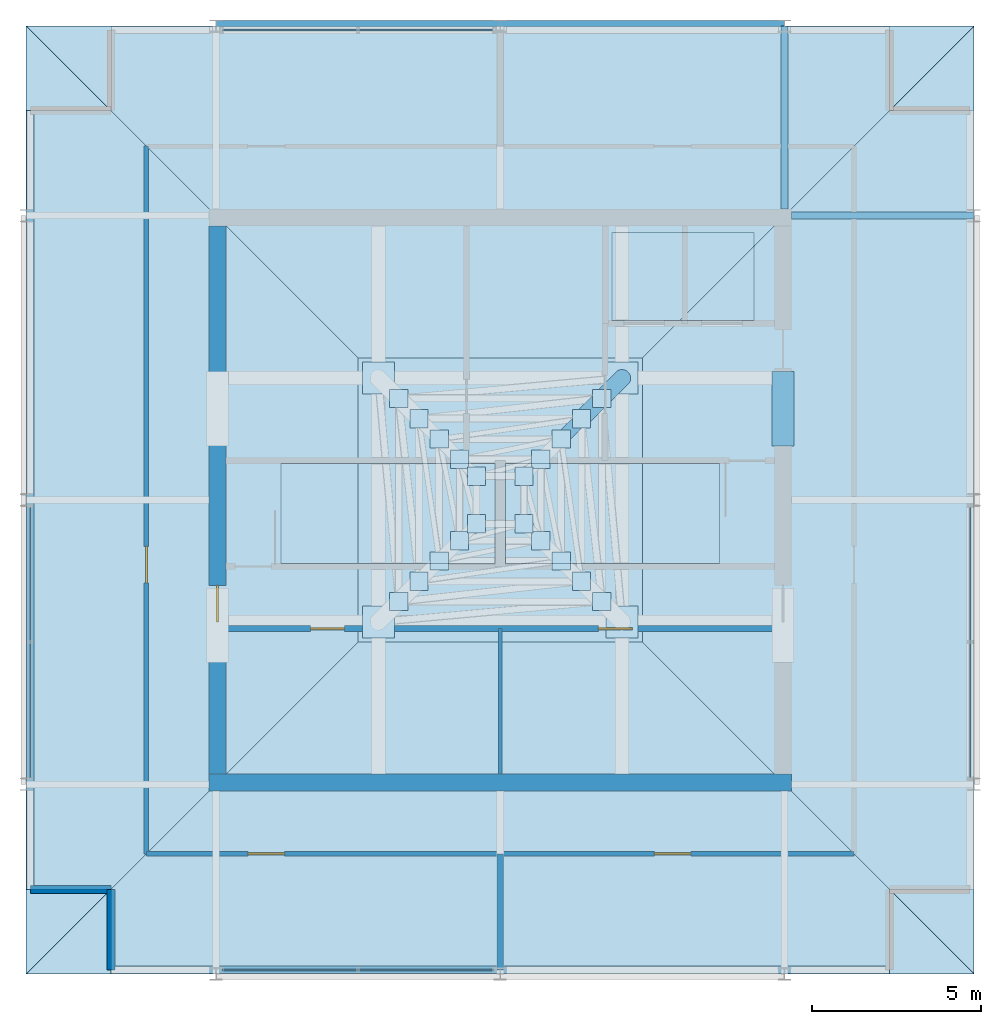
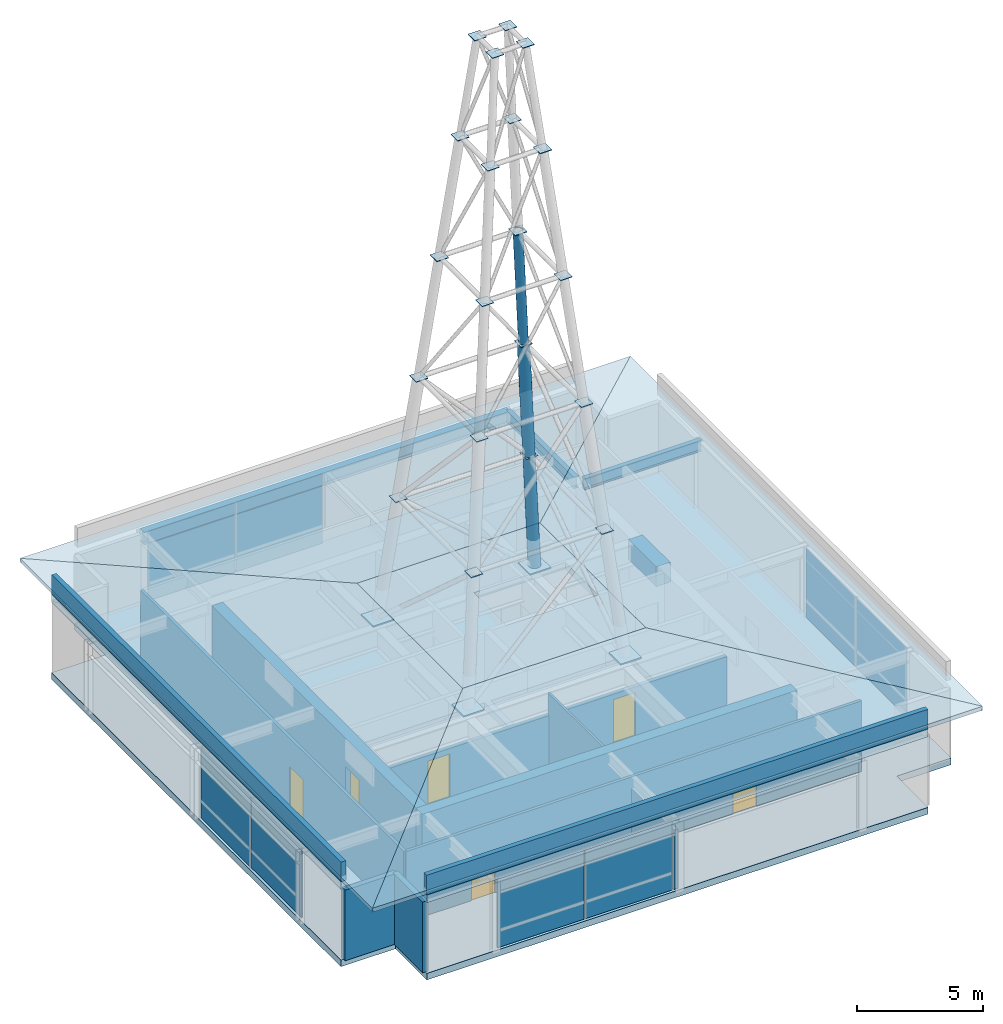
# One storey, part 11 of 13: 33 plates, 11 walls, 6 doors, 6 slabs, 4 beams, 3 members, 6 openings, 4 elements without a shape of their own.
"""IFC4 building model written with IfcOpenShell, lengths in metres."""

from ifc_helpers import new_model, si_unit, direction, frame, frame_2d, origin, origin_2d, place, context, subcontext, project, spatial, polyline, rectangle, hollow_circle, i_section, outline, extrude, material, layer, layer_set, material_profile, profile_set, type_object, element, fill, aggregate, save


model = new_model("IFC4")

# Units and contexts
model_context = context("Model", 3, precision=1e-05, world=origin(), true_north=direction((0.0, 1.0)))
body_context = subcontext(model_context, "Body", "Model", "MODEL_VIEW")
ifc_project = project(units=[si_unit("LENGTHUNIT", "METRE"), si_unit("AREAUNIT", "SQUARE_METRE"), si_unit("VOLUMEUNIT", "CUBIC_METRE"), si_unit("PLANEANGLEUNIT", "RADIAN"), si_unit("MASSUNIT", "GRAM", prefix="KILO")], contexts=[model_context])

# Site, building, storey
site_placement = place(None, origin())
site = spatial("IfcSite", under=ifc_project, at=site_placement, CompositionType="ELEMENT")
building_placement = place(site_placement, origin())
building = spatial("IfcBuilding", under=site, at=building_placement, Name="Drelvath Grand Hotel", CompositionType="ELEMENT")
storey_placement = place(building_placement, frame((0.0, 0.0, 323.199951171875)))
storey = spatial("IfcBuildingStorey", under=building, at=storey_placement, Name="L84", CompositionType="ELEMENT", Elevation=323.199951171875)

# Members
ifc_material_1 = material(Name="Steel ASTM A500 Gr C", Category="steel")
ifc_material_profile_1 = material_profile(ifc_material_1, hollow_circle(Radius=0.203125, WallThickness=0.01904296875, at=origin_2d()), Name="CHS406X19")
ifc_profile_set_1 = profile_set([ifc_material_profile_1], Name="Steel ASTM A500 Gr C")
member_type_1 = type_object("IfcMemberType", Name="Broadcast Mast Leg Post CHS406X19", PredefinedType="POST", material=ifc_profile_set_1)
member_placement = place(storey_placement, frame((2.39990234375, 29.39990234375, 15.800048828125), z_axis=(-0.098991054594, -0.098991054594, 0.990152282339), x_axis=(0.707106781187, -0.707106781187, 0.0)))
element("IfcMember", 1, at=member_placement, inside=storey, type_object=member_type_1, Name="Broadcast Mast Leg Post T3-NE", PredefinedType="POST", context=body_context, shape_type="SweptSolid", body=[
    extrude(hollow_circle(Radius=0.203125, WallThickness=0.01904296875, at=origin_2d()), origin(), (0.0, 0.0, 1.0), 6.0595703125),
])
ifc_material_2 = material(Name="Steel ASTM A501 Gr B", Category="steel")
ifc_material_profile_2 = material_profile(ifc_material_2, hollow_circle(Radius=0.25390625, WallThickness=0.025390625, at=origin_2d()), Name="CHS508X25")
ifc_profile_set_2 = profile_set([ifc_material_profile_2], Name="Steel ASTM A501 Gr B")
member_type_2 = type_object("IfcMemberType", Name="Broadcast Mast Leg Post CHS508X25", PredefinedType="POST", material=ifc_profile_set_2)
for number, where, z_axis, x_axis, name in (
    (2, (3.60009765625, 30.60009765625, 3.800048828125), (-0.099030553911, -0.099030553911, 0.990144382797), (0.707106781187, -0.707106781187, 0.0), "Broadcast Mast Leg Post T1-NE"),
    (3, (3.0, 30.0, 9.800048828125), (-0.099030553911, -0.099030553911, 0.990144382797), (0.707106781187, -0.707106781187, 0.0), "Broadcast Mast Leg Post T2-NE"),
):
    element("IfcMember", number, at=place(storey_placement, frame(where, z_axis=z_axis, x_axis=x_axis)), inside=storey, type_object=member_type_2, Name=name, PredefinedType="POST", context=body_context, shape_type="SweptSolid", body=[
        extrude(hollow_circle(Radius=0.25390625, WallThickness=0.025390625, at=origin_2d()), origin(), (0.0, 0.0, 1.0), 6.059814453125),
    ])

# Beams
ifc_material_3 = material(Name="Concrete f'c 55 MPa", Category="concrete")
ifc_material_profile_3 = material_profile(ifc_material_3, rectangle(XDim=0.64990234375, YDim=0.949951171875, at=origin_2d()), Name="CB650X950")
ifc_profile_set_3 = profile_set([ifc_material_profile_3], Name="Concrete f'c 55 MPa")
beam_type_1 = type_object("IfcBeamType", Name="Core Coupling Lintel CB650X950", PredefinedType="LINTEL", material=ifc_profile_set_3)
beam_1_placement = place(storey_placement, frame((8.35009765625, 28.60009765625, 2.945068359375), z_axis=(0.0, 1.0, 0.0), x_axis=(-1.0, 0.0, 0.0)))
element("IfcBeam", 4, at=beam_1_placement, inside=storey, type_object=beam_type_1, Name="L84 Core Coupling Lintel EN", PredefinedType="LINTEL", context=body_context, shape_type="SweptSolid", body=[
    extrude(rectangle(XDim=0.64990234375, YDim=0.949951171875, at=origin_2d()), origin(), (0.0, 0.0, 1.0), 2.199951171875),
])
ifc_material_4 = material(Name="Steel ASTM A992 Gr 50", Category="steel")
ifc_material_profile_4 = material_profile(ifc_material_4, i_section(OverallWidth=0.210205078125, OverallDepth=0.53662109375, WebThickness=0.010986328125, FlangeThickness=0.017333984375, FilletRadius=0.01806640625, at=origin_2d()), Name="W21X68")
ifc_profile_set_4 = profile_set([ifc_material_profile_4], Name="Steel ASTM A992 Gr 50")
beam_type_2 = type_object("IfcBeamType", Name="Primary Floor Girder W21X68", PredefinedType="BEAM", material=ifc_profile_set_4)
for number, where, z_axis, x_axis, name in (
    (5, (8.60009765625, 35.39990234375, 3.15185546875), (1.0, 0.0, 0.0), (0.0, 1.0, 0.0), "L84 Crown Drum Tie East F"),
    (6, (8.39990234375, 35.60009765625, 3.15185546875), (0.0, 1.0, 0.0), (-1.0, 0.0, 0.0), "L84 Crown Drum Tie North 6"),
):
    element("IfcBeam", number, at=place(storey_placement, frame(where, z_axis=z_axis, x_axis=x_axis)), inside=storey, type_object=beam_type_2, Name=name, PredefinedType="BEAM", context=body_context, shape_type="SweptSolid", body=[
        extrude(i_section(OverallWidth=0.210205078125, OverallDepth=0.53662109375, WebThickness=0.010986328125, FlangeThickness=0.017333984375, FilletRadius=0.01806640625, at=origin_2d()), origin(), (0.0, 0.0, 1.0), 5.39990234375),
    ])
ifc_material_profile_5 = material_profile(ifc_material_4, i_section(OverallWidth=0.323974609375, OverallDepth=0.611083984375, WebThickness=0.0126953125, FlangeThickness=0.01904296875, FilletRadius=0.02197265625, at=origin_2d()), Name="W24X104")
ifc_profile_set_5 = profile_set([ifc_material_profile_5], Name="Steel ASTM A992 Gr 50")
beam_type_3 = type_object("IfcBeamType", Name="Primary Floor Girder W24X104", PredefinedType="BEAM", material=ifc_profile_set_5)
beam_2_placement = place(storey_placement, frame((-8.39990234375, 41.0, 3.114501953125), z_axis=(1.0, 0.0, 0.0), x_axis=(0.0, 1.0, 0.0)))
element("IfcBeam", 7, at=beam_2_placement, inside=storey, type_object=beam_type_3, Name="L84 Crown Drum Ring Beam North", PredefinedType="BEAM", context=body_context, shape_type="SweptSolid", body=[
    extrude(i_section(OverallWidth=0.323974609375, OverallDepth=0.611083984375, WebThickness=0.0126953125, FlangeThickness=0.01904296875, FilletRadius=0.02197265625, at=origin_2d()), origin(), (0.0, 0.0, 1.0), 16.7998046875),
])

# Slabs
ifc_material_5 = material(Name="Concrete f'c 40 MPa", Category="concrete")
ifc_layer_1 = layer(ifc_material_5, 0.320068359375)
ifc_layer_set_1 = layer_set([ifc_layer_1], Name="Concrete f'c 40 MPa")
slab_type_1 = type_object("IfcSlabType", Name="Composite RC Floor Slab 320", PredefinedType="FLOOR", material=ifc_layer_set_1)
slab_1_placement = place(storey_placement, frame((0.0, 0.0, -0.320068359375)))
element("IfcSlab", 8, at=slab_1_placement, inside=storey, type_object=slab_type_1, Name="L84 Structural Floor Slab", PredefinedType="FLOOR", context=body_context, shape_type="SweptSolid", body=[
    extrude(outline(polyline([(-11.5, 13.0), (11.5, 13.0), (11.5, 15.5), (14.0, 15.5), (14.0, 38.5), (11.5, 38.5), (11.5, 41.0), (-11.5, 41.0), (-11.5, 38.5), (-14.0, 38.5), (-14.0, 15.5), (-11.5, 15.5), (-11.5, 13.0)]), holes=[polyline([(-6.47998046875, 25.1201171875), (-6.47998046875, 28.080078125), (-0.14990234375, 28.080078125), (-0.14990234375, 25.1201171875), (-6.47998046875, 25.1201171875)]), polyline([(0.14990234375, 25.1201171875), (0.14990234375, 28.080078125), (6.47998046875, 28.080078125), (6.47998046875, 25.1201171875), (0.14990234375, 25.1201171875)]), polyline([(3.300048828125, 32.300048828125), (3.300048828125, 34.89990234375), (7.5, 34.89990234375), (7.5, 32.300048828125), (3.300048828125, 32.300048828125)])]), origin(), (0.0, 0.0, 1.0), 0.320068359375),
])
ifc_layer_2 = layer(ifc_material_3, 0.3798828125)
ifc_layer_set_2 = layer_set([ifc_layer_2], Name="Concrete f'c 55 MPa")
slab_type_2 = type_object("IfcSlabType", Name="Crown Mast Transfer Deck Slab 380", PredefinedType="FLOOR", material=ifc_layer_set_2)
slab_2_placement = place(storey_placement, frame((0.0, 0.0, 3.420166015625)))
element("IfcSlab", 9, at=slab_2_placement, inside=storey, type_object=slab_type_2, Name="L84 Broadcast Mast Transfer Deck Slab", PredefinedType="FLOOR", context=body_context, shape_type="SweptSolid", body=[
    extrude(outline(polyline([(-11.5, 13.0), (11.5, 13.0), (11.5, 15.5), (14.0, 15.5), (14.0, 38.5), (11.5, 38.5), (11.5, 41.0), (-11.5, 41.0), (-11.5, 38.5), (-14.0, 38.5), (-14.0, 15.5), (-11.5, 15.5), (-11.5, 13.0)])), origin(), (0.0, 0.0, 1.0), 0.3798828125),
])

# Curtain wall, plates
ifc_material_6 = material(Name="Pale-Metal Anodised Aluminium Crown Frame", Category="aluminium")
ifc_layer_3 = layer(ifc_material_6, 0.199951171875)
ifc_layer_set_3 = layer_set([ifc_layer_3], Name="Pale-Metal Anodised Aluminium Crown Frame")
curtain_wall_type = type_object("IfcCurtainWallType", Name="Stick Curtain Wall CW-06 Pale-Metal Crown Clerestory", PredefinedType="NOTDEFINED", material=ifc_layer_set_3)
curtain_wall_1_placement = place(storey_placement, origin())
curtain_wall_1 = element("IfcCurtainWall", 10, at=curtain_wall_1_placement, inside=storey, type_object=curtain_wall_type, Name="L84 CW-06 Curtain Wall CW06-L84-W", PredefinedType="NOTDEFINED")
ifc_material_7 = material(Name="Insulated Spandrel Laminated Crown Glass", Category="glass")
ifc_layer_4 = layer(ifc_material_7, 0.035888671875)
ifc_layer_set_4 = layer_set([ifc_layer_4], Name="Insulated Spandrel Laminated Crown Glass")
plate_type_1 = type_object("IfcPlateType", Name="Curtain Wall Vision Panel CW-06 36mm", PredefinedType="CURTAIN_PANEL", material=ifc_layer_set_4)
plate_1_placement = place(storey_placement, frame((-13.8798828125, 20.787109375, 0.02001953125), z_axis=(0.0, 0.0, 1.0), x_axis=(0.0, 1.0, 0.0)))
plate_1 = element("IfcPlate", 11, at=plate_1_placement, type_object=plate_type_1, Name="CW06-L84-W Glazed Panel 1", PredefinedType="CURTAIN_PANEL", context=body_context, shape_type="SweptSolid", body=[
    extrude(rectangle(XDim=3.986083984375, YDim=0.035888671875, at=origin_2d()), origin(), (0.0, 0.0, 1.0), 3.3798828125),
])
plate_2_placement = place(storey_placement, frame((-13.8798828125, 24.81298828125, 0.02001953125), z_axis=(0.0, 0.0, 1.0), x_axis=(0.0, 1.0, 0.0)))
plate_2 = element("IfcPlate", 12, at=plate_2_placement, type_object=plate_type_1, Name="CW06-L84-W Glazed Panel 2", PredefinedType="CURTAIN_PANEL", context=body_context, shape_type="SweptSolid", body=[
    extrude(rectangle(XDim=3.986083984375, YDim=0.035888671875, at=origin_2d()), origin(), (0.0, 0.0, 1.0), 3.3798828125),
])
aggregate(curtain_wall_1, [plate_1, plate_2])

curtain_wall_2_placement = place(storey_placement, origin())
curtain_wall_2 = element("IfcCurtainWall", 13, at=curtain_wall_2_placement, inside=storey, type_object=curtain_wall_type, Name="L84 CW-06 Curtain Wall CW06-L84-E", PredefinedType="NOTDEFINED")
plate_3_placement = place(storey_placement, frame((13.8798828125, 24.81298828125, 0.02001953125), z_axis=(0.0, 0.0, 1.0), x_axis=(0.0, -1.0, 0.0)))
plate_3 = element("IfcPlate", 14, at=plate_3_placement, type_object=plate_type_1, Name="CW06-L84-E Glazed Panel 1", PredefinedType="CURTAIN_PANEL", context=body_context, shape_type="SweptSolid", body=[
    extrude(rectangle(XDim=3.986083984375, YDim=0.035888671875, at=origin_2d()), origin(), (0.0, 0.0, 1.0), 3.3798828125),
])
plate_4_placement = place(storey_placement, frame((13.8798828125, 20.787109375, 0.02001953125), z_axis=(0.0, 0.0, 1.0), x_axis=(0.0, -1.0, 0.0)))
plate_4 = element("IfcPlate", 15, at=plate_4_placement, type_object=plate_type_1, Name="CW06-L84-E Glazed Panel 2", PredefinedType="CURTAIN_PANEL", context=body_context, shape_type="SweptSolid", body=[
    extrude(rectangle(XDim=3.986083984375, YDim=0.035888671875, at=origin_2d()), origin(), (0.0, 0.0, 1.0), 3.3798828125),
])
aggregate(curtain_wall_2, [plate_3, plate_4])

curtain_wall_3_placement = place(storey_placement, origin())
curtain_wall_3 = element("IfcCurtainWall", 16, at=curtain_wall_3_placement, inside=storey, type_object=curtain_wall_type, Name="L84 CW-06 Curtain Wall CW06-L84-N", PredefinedType="NOTDEFINED")
plate_5_placement = place(storey_placement, frame((-6.209716796875, 40.8798828125, 0.02001953125), z_axis=(0.0, 0.0, 1.0), x_axis=(1.0, 0.0, 0.0)))
plate_5 = element("IfcPlate", 17, at=plate_5_placement, type_object=plate_type_1, Name="CW06-L84-N Glazed Panel 1", PredefinedType="CURTAIN_PANEL", context=body_context, shape_type="SweptSolid", body=[
    extrude(rectangle(XDim=3.9794921875, YDim=0.035888671875, at=origin_2d()), origin(), (0.0, 0.0, 1.0), 3.3798828125),
])
plate_6_placement = place(storey_placement, frame((-2.190185546875, 40.8798828125, 0.02001953125), z_axis=(0.0, 0.0, 1.0), x_axis=(1.0, 0.0, 0.0)))
plate_6 = element("IfcPlate", 18, at=plate_6_placement, type_object=plate_type_1, Name="CW06-L84-N Glazed Panel 2", PredefinedType="CURTAIN_PANEL", context=body_context, shape_type="SweptSolid", body=[
    extrude(rectangle(XDim=3.9794921875, YDim=0.035888671875, at=origin_2d()), origin(), (0.0, 0.0, 1.0), 3.3798828125),
])
aggregate(curtain_wall_3, [plate_5, plate_6])

curtain_wall_4_placement = place(storey_placement, origin())
curtain_wall_4 = element("IfcCurtainWall", 19, at=curtain_wall_4_placement, inside=storey, type_object=curtain_wall_type, Name="L84 CW-06 Curtain Wall CW06-L84-S", PredefinedType="NOTDEFINED")
plate_7_placement = place(storey_placement, frame((-2.190185546875, 13.1201171875, 0.02001953125), z_axis=(0.0, 0.0, 1.0), x_axis=(-1.0, 0.0, 0.0)))
plate_7 = element("IfcPlate", 20, at=plate_7_placement, type_object=plate_type_1, Name="CW06-L84-S Glazed Panel 1", PredefinedType="CURTAIN_PANEL", context=body_context, shape_type="SweptSolid", body=[
    extrude(rectangle(XDim=3.9794921875, YDim=0.035888671875, at=origin_2d()), origin(), (0.0, 0.0, 1.0), 3.3798828125),
])
plate_8_placement = place(storey_placement, frame((-6.209716796875, 13.1201171875, 0.02001953125), z_axis=(0.0, 0.0, 1.0), x_axis=(-1.0, 0.0, 0.0)))
plate_8 = element("IfcPlate", 21, at=plate_8_placement, type_object=plate_type_1, Name="CW06-L84-S Glazed Panel 2", PredefinedType="CURTAIN_PANEL", context=body_context, shape_type="SweptSolid", body=[
    extrude(rectangle(XDim=3.9794921875, YDim=0.035888671875, at=origin_2d()), origin(), (0.0, 0.0, 1.0), 3.3798828125),
])
aggregate(curtain_wall_4, [plate_7, plate_8])

# Plates
ifc_material_8 = material(Name="Steel ASTM A572 Gr 50", Category="steel")
ifc_layer_5 = layer(ifc_material_8, 0.06005859375)
ifc_layer_set_5 = layer_set([ifc_layer_5], Name="Steel ASTM A572 Gr 50")
plate_type_2 = type_object("IfcPlateType", Name="Mast Base Anchorage Plate 60mm", PredefinedType="USERDEFINED", material=ifc_layer_set_5)
plate_9_placement = place(storey_placement, frame((0.0, 27.0, 5.27001953125), z_axis=(0.0, 0.0, 1.0), x_axis=(1.0, 0.0, 0.0)))
element("IfcPlate", 22, at=plate_9_placement, inside=storey, type_object=plate_type_2, Name="Crown Mast Collar Closure Plate", ObjectType="BASE_PLATE", PredefinedType="USERDEFINED", context=body_context, shape_type="SweptSolid", body=[
    extrude(rectangle(XDim=8.39990234375, YDim=8.39990234375, at=origin_2d()), origin(), (0.0, 0.0, 1.0), 0.06005859375),
])
for number, where, z_axis, x_axis, name in (
    (23, (-3.60009765625, 23.39990234375, 3.800048828125), (0.0, 0.0, 1.0), (1.0, 0.0, 0.0), "Broadcast Mast Base Plate SW"),
    (24, (3.60009765625, 23.39990234375, 3.800048828125), (0.0, 0.0, 1.0), (1.0, 0.0, 0.0), "Broadcast Mast Base Plate SE"),
    (25, (3.60009765625, 30.60009765625, 3.800048828125), (0.0, 0.0, 1.0), (1.0, 0.0, 0.0), "Broadcast Mast Base Plate NE"),
    (26, (-3.60009765625, 30.60009765625, 3.800048828125), (0.0, 0.0, 1.0), (1.0, 0.0, 0.0), "Broadcast Mast Base Plate NW"),
):
    element("IfcPlate", number, at=place(storey_placement, frame(where, z_axis=z_axis, x_axis=x_axis)), inside=storey, type_object=plate_type_2, Name=name, ObjectType="BASE_PLATE", PredefinedType="USERDEFINED", context=body_context, shape_type="SweptSolid", body=[
        extrude(rectangle(XDim=0.949951171875, YDim=0.949951171875, at=origin_2d()), origin(), (0.0, 0.0, 1.0), 0.06005859375),
    ])
ifc_layer_6 = layer(ifc_material_8, 0.028076171875)
ifc_layer_set_6 = layer_set([ifc_layer_6], Name="Steel ASTM A572 Gr 50")
plate_type_3 = type_object("IfcPlateType", Name="Mast Tube End Cap Plate 28mm", PredefinedType="SHEET", material=ifc_layer_set_6)
for number, where, z_axis, x_axis, name in (
    (27, (-3.0, 24.0, 9.7861328125), (0.0, 0.0, 1.0), (1.0, 0.0, 0.0), "Broadcast Mast Tier 1 Node Splice Plate SW"),
    (28, (3.0, 24.0, 9.7861328125), (0.0, 0.0, 1.0), (1.0, 0.0, 0.0), "Broadcast Mast Tier 1 Node Splice Plate SE"),
    (29, (3.0, 30.0, 9.7861328125), (0.0, 0.0, 1.0), (1.0, 0.0, 0.0), "Broadcast Mast Tier 1 Node Splice Plate NE"),
    (30, (-3.0, 30.0, 9.7861328125), (0.0, 0.0, 1.0), (1.0, 0.0, 0.0), "Broadcast Mast Tier 1 Node Splice Plate NW"),
    (31, (-2.39990234375, 24.60009765625, 15.7861328125), (0.0, 0.0, 1.0), (1.0, 0.0, 0.0), "Broadcast Mast Tier 2 Node Splice Plate SW"),
    (32, (2.39990234375, 24.60009765625, 15.7861328125), (0.0, 0.0, 1.0), (1.0, 0.0, 0.0), "Broadcast Mast Tier 2 Node Splice Plate SE"),
    (33, (2.39990234375, 29.39990234375, 15.7861328125), (0.0, 0.0, 1.0), (1.0, 0.0, 0.0), "Broadcast Mast Tier 2 Node Splice Plate NE"),
    (34, (-2.39990234375, 29.39990234375, 15.7861328125), (0.0, 0.0, 1.0), (1.0, 0.0, 0.0), "Broadcast Mast Tier 2 Node Splice Plate NW"),
    (35, (-1.800048828125, 25.199951171875, 21.7861328125), (0.0, 0.0, 1.0), (1.0, 0.0, 0.0), "Broadcast Mast Tier 3 Node Splice Plate SW"),
    (36, (1.800048828125, 25.199951171875, 21.7861328125), (0.0, 0.0, 1.0), (1.0, 0.0, 0.0), "Broadcast Mast Tier 3 Node Splice Plate SE"),
    (37, (1.800048828125, 28.800048828125, 21.7861328125), (0.0, 0.0, 1.0), (1.0, 0.0, 0.0), "Broadcast Mast Tier 3 Node Splice Plate NE"),
    (38, (-1.800048828125, 28.800048828125, 21.7861328125), (0.0, 0.0, 1.0), (1.0, 0.0, 0.0), "Broadcast Mast Tier 3 Node Splice Plate NW"),
    (39, (-1.199951171875, 25.800048828125, 27.7861328125), (0.0, 0.0, 1.0), (1.0, 0.0, 0.0), "Broadcast Mast Tier 4 Node Splice Plate SW"),
    (40, (1.199951171875, 25.800048828125, 27.7861328125), (0.0, 0.0, 1.0), (1.0, 0.0, 0.0), "Broadcast Mast Tier 4 Node Splice Plate SE"),
    (41, (1.199951171875, 28.199951171875, 27.7861328125), (0.0, 0.0, 1.0), (1.0, 0.0, 0.0), "Broadcast Mast Tier 4 Node Splice Plate NE"),
    (42, (-1.199951171875, 28.199951171875, 27.7861328125), (0.0, 0.0, 1.0), (1.0, 0.0, 0.0), "Broadcast Mast Tier 4 Node Splice Plate NW"),
    (43, (-0.699951171875, 26.300048828125, 32.77197265625), (0.0, 0.0, 1.0), (1.0, 0.0, 0.0), "Broadcast Mast Tip Cap Plate SW"),
    (44, (0.699951171875, 26.300048828125, 32.77197265625), (0.0, 0.0, 1.0), (1.0, 0.0, 0.0), "Broadcast Mast Tip Cap Plate SE"),
    (45, (0.699951171875, 27.699951171875, 32.77197265625), (0.0, 0.0, 1.0), (1.0, 0.0, 0.0), "Broadcast Mast Tip Cap Plate NE"),
    (46, (-0.699951171875, 27.699951171875, 32.77197265625), (0.0, 0.0, 1.0), (1.0, 0.0, 0.0), "Broadcast Mast Tip Cap Plate NW"),
):
    element("IfcPlate", number, at=place(storey_placement, frame(where, z_axis=z_axis, x_axis=x_axis)), inside=storey, type_object=plate_type_3, Name=name, PredefinedType="SHEET", context=body_context, shape_type="SweptSolid", body=[
        extrude(rectangle(XDim=0.5400390625, YDim=0.5400390625, at=origin_2d()), origin(), (0.0, 0.0, 1.0), 0.028076171875),
    ])

# Slabs
ifc_layer_7 = layer(ifc_material_5, 0.219970703125)
ifc_layer_set_7 = layer_set([ifc_layer_7], Name="Concrete f'c 40 MPa")
slab_type_3 = type_object("IfcSlabType", Name="Sloped Crown Roof Slab 220", PredefinedType="ROOF", material=ifc_layer_set_7)
for number, where, z_axis, x_axis, name in (
    (47, (-14.0, 13.0, 4.030029296875), (0.0, -0.131505315106, 0.991315465479), (1.0, 0.0, 0.0), "Crown Hipped Roof Facet SOUTH"),
    (48, (14.0, 13.0, 4.030029296875), (0.131505315106, 0.0, 0.991315465479), (0.0, 1.0, 0.0), "Crown Hipped Roof Facet EAST"),
    (49, (14.0, 41.0, 4.030029296875), (0.0, 0.131505315106, 0.991315465479), (-1.0, 0.0, 0.0), "Crown Hipped Roof Facet NORTH"),
    (50, (-14.0, 41.0, 4.030029296875), (-0.131505315106, 0.0, 0.991315465479), (0.0, -1.0, 0.0), "Crown Hipped Roof Facet WEST"),
):
    element("IfcSlab", number, at=place(storey_placement, frame(where, z_axis=z_axis, x_axis=x_axis)), inside=storey, type_object=slab_type_3, Name=name, PredefinedType="ROOF", context=body_context, shape_type="SweptSolid", body=[
        extrude(outline(polyline([(0.0, 0.0), (28.0, 0.0), (18.199951171875, 9.885903296570493), (9.800048828125, 9.885903296570493), (0.0, 0.0)])), origin(), (0.0, 0.0, -1.0), 0.219970703125),
    ])

# Wall
ifc_material_9 = material(Name="Gypsum Partition Board")
ifc_layer_8 = layer(ifc_material_9, 0.10009765625)
ifc_layer_set_8 = layer_set([ifc_layer_8], Name="Gypsum Partition Board")
wall_type_1 = type_object("IfcWallType", Name="Core Closet Partition 100", PredefinedType="PARTITIONING", material=ifc_layer_set_8)
wall_1_placement = place(storey_placement, frame((0.0, 18.89990234375, 0.0), z_axis=(0.0, 0.0, 1.0), x_axis=(0.0, 1.0, 0.0)))
element("IfcWall", 51, at=wall_1_placement, inside=storey, type_object=wall_type_1, Name="L84 Crown Core Split", PredefinedType="PARTITIONING", context=body_context, shape_type="SweptSolid", body=[
    extrude(rectangle(XDim=4.300048828125, YDim=0.10009765625, at=frame_2d((2.14990234375, 0.0))), origin(), (0.0, 0.0, 1.0), 3.420166015625),
])

# Wall, openings, doors
ifc_material_10 = material(Name="Gypsum Fireboard Partition")
ifc_layer_9 = layer(ifc_material_10, 0.135009765625)
ifc_layer_set_9 = layer_set([ifc_layer_9], Name="Gypsum Fireboard Partition")
wall_type_2 = type_object("IfcWallType", Name="Corridor Fire Barrier Wall 135", PredefinedType="PARTITIONING", material=ifc_layer_set_9)
wall_2_placement = place(storey_placement, frame((-10.449951171875, 16.550048828125, 0.0), z_axis=(0.0, 0.0, 1.0), x_axis=(1.0, 0.0, 0.0)))
wall_2 = element("IfcWall", 52, at=wall_2_placement, inside=storey, type_object=wall_type_2, Name="L84 Crown South Corridor Wall", PredefinedType="PARTITIONING", context=body_context, shape_type="SweptSolid", body=[
    extrude(rectangle(XDim=20.89990234375, YDim=0.135009765625, at=frame_2d((10.449951171875, 0.0))), origin(), (0.0, 0.0, 1.0), 3.420166015625),
])
opening_1_placement = place(wall_2_placement, frame((3.0, 0.0, 0.0)))
opening_1 = element("IfcOpeningElement", 53, at=opening_1_placement, cuts=wall_2, Name="Opening D-L84-012", PredefinedType="OPENING", context=body_context, shape_type="SweptSolid", body=[
    extrude(rectangle(XDim=1.080078125, YDim=2.0400390625, at=frame_2d((0.5400390625, 1.02001953125))), frame((0.0, 0.077392578125, 0.0), z_axis=(0.0, -1.0, 0.0), x_axis=(1.0, 0.0, 0.0)), (0.0, 0.0, 1.0), 0.155029296875),
])
opening_2_placement = place(wall_2_placement, frame((15.0, 0.0, 0.0)))
opening_2 = element("IfcOpeningElement", 54, at=opening_2_placement, cuts=wall_2, Name="Opening D-L84-013", PredefinedType="OPENING", context=body_context, shape_type="SweptSolid", body=[
    extrude(rectangle(XDim=1.080078125, YDim=2.0400390625, at=frame_2d((0.5400390625, 1.02001953125))), frame((0.0, 0.077392578125, 0.0), z_axis=(0.0, -1.0, 0.0), x_axis=(1.0, 0.0, 0.0)), (0.0, 0.0, 1.0), 0.155029296875),
])
ifc_material_11 = material(Name="Painted Steel S275", Category="steel")
door_type_1 = type_object("IfcDoorType", Name="Core Corridor Fire Door 1080x2100", OperationType="NOTDEFINED", PredefinedType="DOOR", material=ifc_material_11)
door_1_placement = place(opening_1_placement, origin())
door_1 = element("IfcDoor", 55, at=door_1_placement, inside=storey, type_object=door_type_1, Name="L84 Cooling Plant Door", OperationType="SINGLE_SWING_RIGHT", OverallHeight=2.0400390625, OverallWidth=1.080078125, PredefinedType="DOOR", context=body_context, shape_type="SweptSolid", body=[
    extrude(rectangle(XDim=1.080078125, YDim=2.0400390625, at=frame_2d((0.5400390625, 1.02001953125))), frame((0.0, 0.02490234375, 0.0), z_axis=(0.0, -1.0, 0.0), x_axis=(1.0, 0.0, 0.0)), (0.0, 0.0, 1.0), 0.050048828125),
])
fill(opening_1, door_1)
door_2_placement = place(opening_2_placement, origin())
door_2 = element("IfcDoor", 56, at=door_2_placement, inside=storey, type_object=door_type_1, Name="L84 Fire Pump Plant Door", OperationType="SINGLE_SWING_LEFT", OverallHeight=2.0400390625, OverallWidth=1.080078125, PredefinedType="DOOR", context=body_context, shape_type="SweptSolid", body=[
    extrude(rectangle(XDim=1.080078125, YDim=2.0400390625, at=frame_2d((0.5400390625, 1.02001953125))), frame((0.0, 0.02490234375, 0.0), z_axis=(0.0, -1.0, 0.0), x_axis=(1.0, 0.0, 0.0)), (0.0, 0.0, 1.0), 0.050048828125),
])
fill(opening_2, door_2)

# Wall, opening, door
wall_3_placement = place(storey_placement, frame((-10.449951171875, 16.550048828125, 0.0), z_axis=(0.0, 0.0, 1.0), x_axis=(0.0, 1.0, 0.0)))
wall_3 = element("IfcWall", 57, at=wall_3_placement, inside=storey, type_object=wall_type_2, Name="L84 Crown West Corridor Wall", PredefinedType="PARTITIONING", context=body_context, shape_type="SweptSolid", body=[
    extrude(rectangle(XDim=20.89990234375, YDim=0.135009765625, at=frame_2d((10.449951171875, 0.0))), origin(), (0.0, 0.0, 1.0), 3.420166015625),
])
opening_3_placement = place(wall_3_placement, frame((8.0, 0.0, 0.0)))
opening_3 = element("IfcOpeningElement", 58, at=opening_3_placement, cuts=wall_3, Name="Opening D-L84-016", PredefinedType="OPENING", context=body_context, shape_type="SweptSolid", body=[
    extrude(rectangle(XDim=1.080078125, YDim=2.0400390625, at=frame_2d((0.5400390625, 1.02001953125))), frame((0.0, 0.077392578125, 0.0), z_axis=(0.0, -1.0, 0.0), x_axis=(1.0, 0.0, 0.0)), (0.0, 0.0, 1.0), 0.155029296875),
])
door_3_placement = place(opening_3_placement, origin())
door_3 = element("IfcDoor", 59, at=door_3_placement, inside=storey, type_object=door_type_1, Name="L84 Drive Plant Door", OperationType="SINGLE_SWING_RIGHT", OverallHeight=2.0400390625, OverallWidth=1.080078125, PredefinedType="DOOR", context=body_context, shape_type="SweptSolid", body=[
    extrude(rectangle(XDim=1.080078125, YDim=2.0400390625, at=frame_2d((0.5400390625, 1.02001953125))), frame((0.0, 0.02490234375, 0.0), z_axis=(0.0, -1.0, 0.0), x_axis=(1.0, 0.0, 0.0)), (0.0, 0.0, 1.0), 0.050048828125),
])
fill(opening_3, door_3)

# Wall, openings, doors
ifc_layer_10 = layer(ifc_material_10, 0.179931640625)
ifc_layer_set_10 = layer_set([ifc_layer_10], Name="Gypsum Fireboard Partition")
wall_type_3 = type_object("IfcWallType", Name="FSAE Smoke Lobby Fire Wall 180", PredefinedType="SOLIDWALL", material=ifc_layer_set_10)
wall_4_placement = place(storey_placement, frame((-8.10009765625, 23.199951171875, 0.0), z_axis=(0.0, 0.0, 1.0), x_axis=(1.0, 0.0, 0.0)))
wall_4 = element("IfcWall", 60, at=wall_4_placement, inside=storey, type_object=wall_type_3, Name="L84 Upper Reclaimed Core Wall", PredefinedType="SOLIDWALL", context=body_context, shape_type="SweptSolid", body=[
    extrude(rectangle(XDim=16.2001953125, YDim=0.179931640625, at=frame_2d((8.10009765625, 0.0))), origin(), (0.0, 0.0, 1.0), 2.367919921875),
])
opening_4_placement = place(wall_4_placement, frame((2.5, 0.0, 0.0)))
opening_4 = element("IfcOpeningElement", 61, at=opening_4_placement, cuts=wall_4, Name="Opening D-L84-010", PredefinedType="OPENING", context=body_context, shape_type="SweptSolid", body=[
    extrude(rectangle(XDim=1.0, YDim=2.10009765625, at=frame_2d((0.5, 1.050048828125))), frame((0.0, 0.099853515625, 0.0), z_axis=(0.0, -1.0, 0.0), x_axis=(1.0, 0.0, 0.0)), (0.0, 0.0, 1.0), 0.199951171875),
])
opening_5_placement = place(wall_4_placement, frame((11.0, 0.0, 0.0)))
opening_5 = element("IfcOpeningElement", 62, at=opening_5_placement, cuts=wall_4, Name="Opening D-L84-011", PredefinedType="OPENING", context=body_context, shape_type="SweptSolid", body=[
    extrude(rectangle(XDim=1.0, YDim=2.10009765625, at=frame_2d((0.5, 1.050048828125))), frame((0.0, 0.099853515625, 0.0), z_axis=(0.0, -1.0, 0.0), x_axis=(1.0, 0.0, 0.0)), (0.0, 0.0, 1.0), 0.199951171875),
])
door_type_2 = type_object("IfcDoorType", Name="Core Service Fire Door 1000x2100", OperationType="NOTDEFINED", PredefinedType="DOOR", material=ifc_material_11)
door_4_placement = place(opening_4_placement, origin())
door_4 = element("IfcDoor", 63, at=door_4_placement, inside=storey, type_object=door_type_2, Name="L84 Switchroom Door", OperationType="SINGLE_SWING_RIGHT", OverallHeight=2.10009765625, OverallWidth=1.0, PredefinedType="DOOR", context=body_context, shape_type="SweptSolid", body=[
    extrude(rectangle(XDim=1.0, YDim=2.10009765625, at=frame_2d((0.5, 1.050048828125))), frame((0.0, 0.02490234375, 0.0), z_axis=(0.0, -1.0, 0.0), x_axis=(1.0, 0.0, 0.0)), (0.0, 0.0, 1.0), 0.050048828125),
])
fill(opening_4, door_4)
door_5_placement = place(opening_5_placement, origin())
door_5 = element("IfcDoor", 64, at=door_5_placement, inside=storey, type_object=door_type_2, Name="L84 UPS Room Door", OperationType="SINGLE_SWING_LEFT", OverallHeight=2.10009765625, OverallWidth=1.0, PredefinedType="DOOR", context=body_context, shape_type="SweptSolid", body=[
    extrude(rectangle(XDim=1.0, YDim=2.10009765625, at=frame_2d((0.5, 1.050048828125))), frame((0.0, 0.02490234375, 0.0), z_axis=(0.0, -1.0, 0.0), x_axis=(1.0, 0.0, 0.0)), (0.0, 0.0, 1.0), 0.050048828125),
])
fill(opening_5, door_5)

# Walls
wall_5_placement = place(storey_placement, frame((0.0, 13.1201171875, 0.0), z_axis=(0.0, 0.0, 1.0), x_axis=(0.0, 1.0, 0.0)))
element("IfcWall", 65, at=wall_5_placement, inside=storey, type_object=wall_type_3, Name="L84 Crown South Split", PredefinedType="SOLIDWALL", context=body_context, shape_type="SweptSolid", body=[
    extrude(rectangle(XDim=3.429931640625, YDim=0.179931640625, at=frame_2d((1.71484375, 0.0))), origin(), (0.0, 0.0, 1.0), 2.868408203125),
])
ifc_material_12 = material(Name="Pale-Metal Cladded Concrete C40/50 Parapet", Category="concrete")
ifc_layer_11 = layer(ifc_material_12, 0.219970703125)
ifc_layer_set_11 = layer_set([ifc_layer_11], Name="Pale-Metal Cladded Concrete C40/50 Parapet")
wall_type_4 = type_object("IfcWallType", Name="Roof Coping Parapet Wall 220", PredefinedType="PARAPET", material=ifc_layer_set_11)
for number, where, z_axis, x_axis, name in (
    (66, (11.5, 13.1201171875, 3.800048828125), (0.0, 0.0, 1.0), (-1.0, 0.0, 0.0), "L84 Crown Drum Roof Coping Parapet S"),
    (67, (-13.8798828125, 15.5, 3.800048828125), (0.0, 0.0, 1.0), (0.0, 1.0, 0.0), "L84 Crown Drum Roof Coping Parapet W"),
):
    element("IfcWall", number, at=place(storey_placement, frame(where, z_axis=z_axis, x_axis=x_axis)), inside=storey, type_object=wall_type_4, Name=name, PredefinedType="PARAPET", context=body_context, shape_type="SweptSolid", body=[
        extrude(rectangle(XDim=23.0, YDim=0.219970703125, at=frame_2d((11.5, 0.0))), origin(), (0.0, 0.0, 1.0), 0.949951171875),
    ])
ifc_material_13 = material(Name="Pale-Metal Insulated Aluminium Spandrel Assembly", Category="aluminium")
ifc_layer_12 = layer(ifc_material_13, 0.239990234375)
ifc_layer_set_12 = layer_set([ifc_layer_12], Name="Pale-Metal Insulated Aluminium Spandrel Assembly")
wall_type_5 = type_object("IfcWallType", Name="Tower Insulated Metal Spandrel Closure Wall 240", PredefinedType="STANDARD", material=ifc_layer_set_12)
for number, where, z_axis, x_axis, name in (
    (68, (-11.5, 13.1201171875, 0.0), (0.0, 0.0, 1.0), (0.0, 1.0, 0.0), "L84 Crown Drum Corner Wall CSW1"),
    (69, (-11.5, 15.5, 0.0), (0.0, 0.0, 1.0), (-1.0, 0.0, 0.0), "L84 Crown Drum Corner Wall CSW2"),
):
    element("IfcWall", number, at=place(storey_placement, frame(where, z_axis=z_axis, x_axis=x_axis)), inside=storey, type_object=wall_type_5, Name=name, PredefinedType="STANDARD", context=body_context, shape_type="SweptSolid", body=[
        extrude(rectangle(XDim=2.3798828125, YDim=0.239990234375, at=frame_2d((1.18994140625, 0.0))), origin(), (0.0, 0.0, 1.0), 3.420166015625),
    ])
ifc_layer_13 = layer(ifc_material_3, 0.5)
ifc_layer_set_13 = layer_set([ifc_layer_13], Name="Concrete f'c 55 MPa")
wall_type_6 = type_object("IfcWallType", Name="Upper Core RC Shear Wall 500", PredefinedType="SHEAR", material=ifc_layer_set_13)
wall_6_placement = place(storey_placement, frame((8.60009765625, 18.64990234375, 0.0), z_axis=(0.0, 0.0, 1.0), x_axis=(-1.0, 0.0, 0.0)))
element("IfcWall", 70, at=wall_6_placement, inside=storey, type_object=wall_type_6, Name="L84 Central Core Shear Wall S", PredefinedType="SHEAR", context=body_context, shape_type="SweptSolid", body=[
    extrude(rectangle(XDim=17.2001953125, YDim=0.5, at=frame_2d((8.60009765625, 0.0))), origin(), (0.0, 0.0, 1.0), 3.420166015625),
])

# Wall, opening, door
wall_7_placement = place(storey_placement, frame((-8.35009765625, 18.89990234375, 0.0), z_axis=(0.0, 0.0, 1.0), x_axis=(0.0, 1.0, 0.0)))
wall_7 = element("IfcWall", 71, at=wall_7_placement, inside=storey, type_object=wall_type_6, Name="L84 Central Core Shear Wall W", PredefinedType="SHEAR", context=body_context, shape_type="SweptSolid", body=[
    extrude(rectangle(XDim=16.2001953125, YDim=0.5, at=frame_2d((8.10009765625, 0.0))), origin(), (0.0, 0.0, 1.0), 3.420166015625),
])
opening_6_placement = place(wall_7_placement, frame((4.5, 0.0, 0.0)))
opening_6 = element("IfcOpeningElement", 72, at=opening_6_placement, cuts=wall_7, Name="Opening D-L84-008", PredefinedType="OPENING", context=body_context, shape_type="SweptSolid", body=[
    extrude(rectangle(XDim=1.080078125, YDim=2.0400390625, at=frame_2d((0.5400390625, 1.02001953125))), frame((0.0, 0.260009765625, 0.0), z_axis=(0.0, -1.0, 0.0), x_axis=(1.0, 0.0, 0.0)), (0.0, 0.0, 1.0), 0.52001953125),
])
door_6_placement = place(opening_6_placement, origin())
door_6 = element("IfcDoor", 73, at=door_6_placement, inside=storey, type_object=door_type_1, Name="L84 Core Passage West Door", OperationType="SINGLE_SWING_RIGHT", OverallHeight=2.0400390625, OverallWidth=1.080078125, PredefinedType="DOOR", context=body_context, shape_type="SweptSolid", body=[
    extrude(rectangle(XDim=1.080078125, YDim=2.0400390625, at=frame_2d((0.5400390625, 1.02001953125))), frame((0.0, 0.02490234375, 0.0), z_axis=(0.0, -1.0, 0.0), x_axis=(1.0, 0.0, 0.0)), (0.0, 0.0, 1.0), 0.050048828125),
])
fill(opening_6, door_6)

save(model, "model.ifc")
